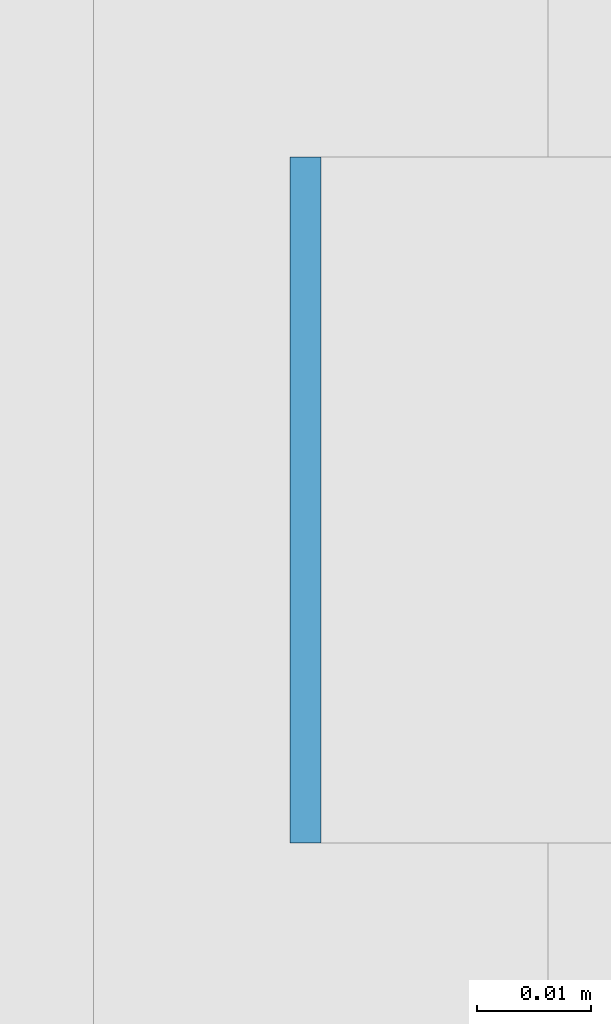
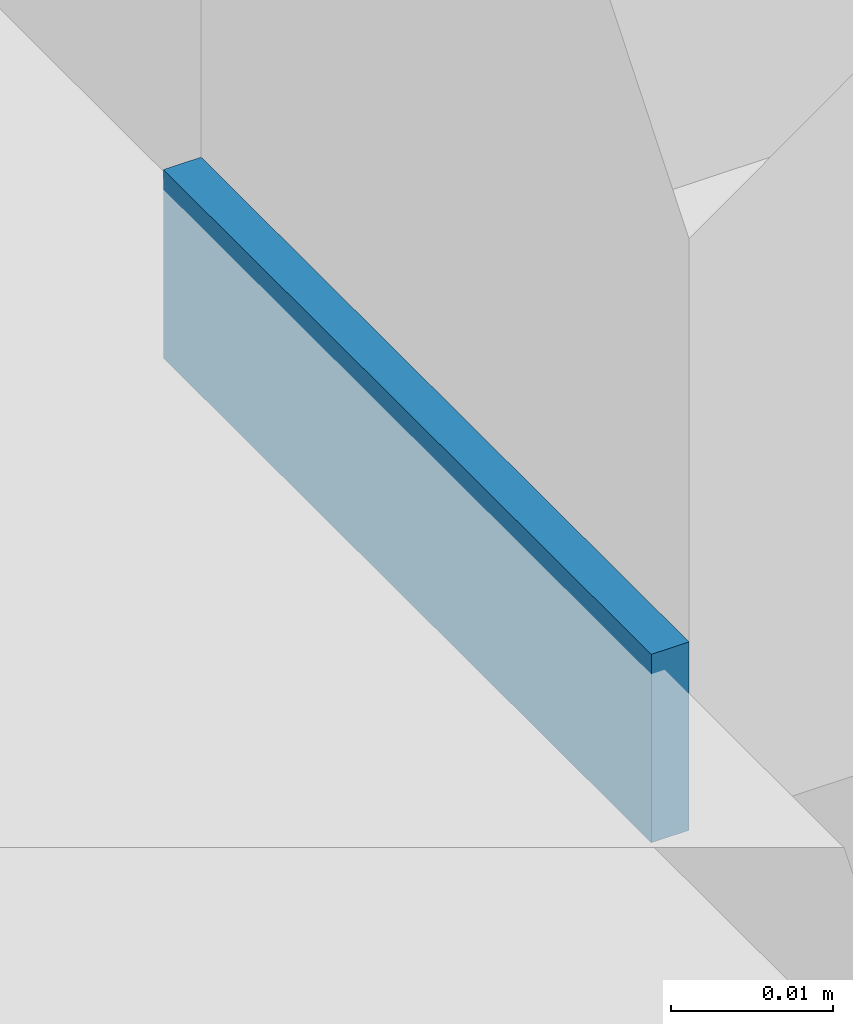
# One storey, part 586 of 646: 1 discrete accessory.
"""IFC4 building model written with IfcOpenShell, lengths in metres."""

from ifc_helpers import new_model, si_unit, direction, frame, origin, origin_2d, place, context, subcontext, project, spatial, rectangle, extrude, material, type_object, element, save


model = new_model("IFC4")

# Units and contexts
model_context = context("Model", 3, precision=1e-05, world=origin(), true_north=direction((0.0, 1.0)))
body_context = subcontext(model_context, "Body", "Model", "MODEL_VIEW")
ifc_project = project(units=[si_unit("LENGTHUNIT", "METRE"), si_unit("AREAUNIT", "SQUARE_METRE"), si_unit("VOLUMEUNIT", "CUBIC_METRE"), si_unit("PLANEANGLEUNIT", "RADIAN"), si_unit("MASSUNIT", "GRAM", prefix="KILO")], contexts=[model_context])

# Site, building, storey
site_placement = place(None, origin())
site = spatial("IfcSite", under=ifc_project, at=site_placement, CompositionType="ELEMENT")
building_placement = place(site_placement, origin())
building = spatial("IfcBuilding", under=site, at=building_placement, Name="Silverbay Arena", CompositionType="ELEMENT")
storey_placement = place(building_placement, frame((0.0, 0.0, 33.5)))
storey = spatial("IfcBuildingStorey", under=building, at=storey_placement, Name="L05", CompositionType="ELEMENT", Elevation=33.5)

# Discrete accessory
ifc_material = material(Name="Steel S355", Category="steel")
discrete_accessory_type = type_object("IfcDiscreteAccessoryType", Name="Steel bracket plate", PredefinedType="BRACKET", material=ifc_material)
discrete_accessory_placement = place(storey_placement, frame((207.128662109375, 115.71435546875, 4.0), z_axis=(0.0, 0.0, 1.0), x_axis=(1.0, 0.0, 0.0)))
element("IfcDiscreteAccessory", 1, at=discrete_accessory_placement, inside=storey, type_object=discrete_accessory_type, Name="Curtain wall packing plate", PredefinedType="BRACKET", context=body_context, shape_type="SweptSolid", body=[
    extrude(rectangle(XDim=0.002685546875, YDim=0.06005859375, at=origin_2d()), origin(), (0.0, 0.0, 1.0), 0.01416015625),
])

save(model, "model.ifc")
